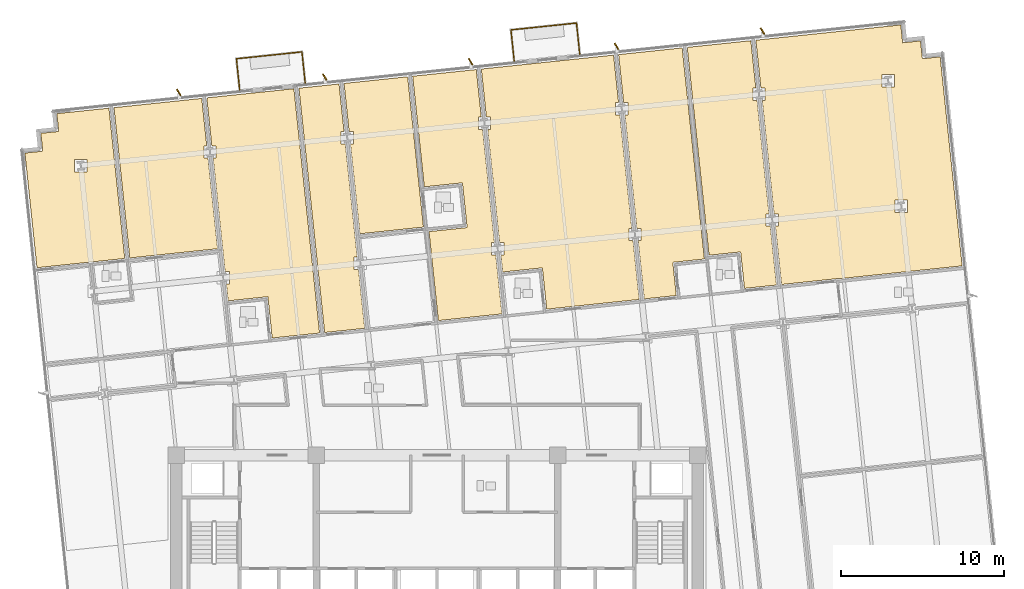
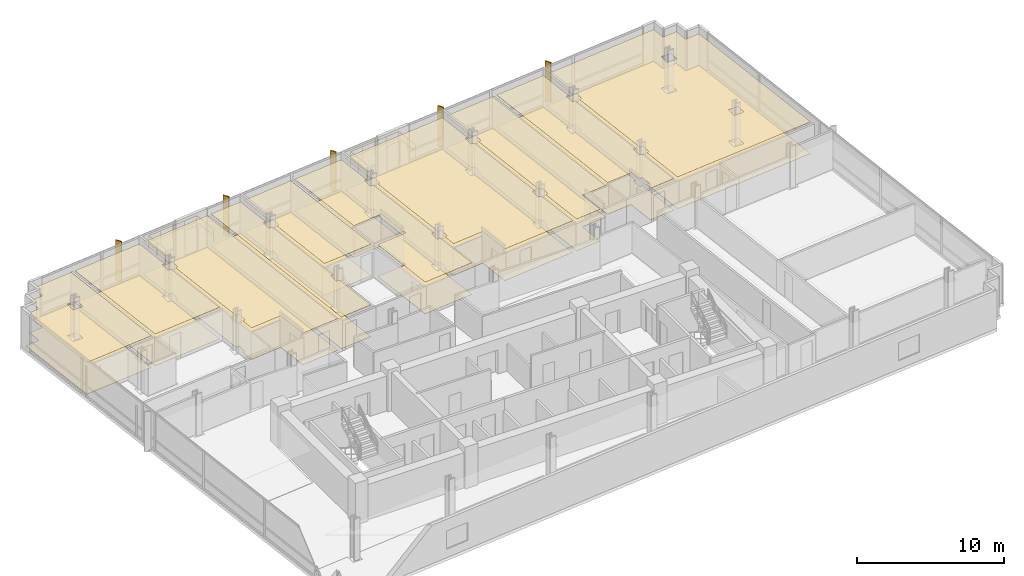
# One storey, part 18 of 19: 20 coverings, 6 railings, 5 shading devices.
"""IFC4 building model written with IfcOpenShell, lengths in metres."""

from ifc_helpers import new_model, si_unit, direction, frame, origin, origin_2d, place, context, subcontext, project, spatial, polyline, rectangle, circle, outline, extrude, material, layer, layer_set, type_object, element, save


model = new_model("IFC4")

# Units and contexts
model_context = context("Model", 3, precision=1e-05, world=origin(), true_north=direction((0.0, 1.0)))
body_context = subcontext(model_context, "Body", "Model", "MODEL_VIEW")
ifc_project = project(units=[si_unit("LENGTHUNIT", "METRE"), si_unit("AREAUNIT", "SQUARE_METRE"), si_unit("VOLUMEUNIT", "CUBIC_METRE"), si_unit("PLANEANGLEUNIT", "RADIAN"), si_unit("MASSUNIT", "GRAM", prefix="KILO")], contexts=[model_context])

# Site, building, storey
site_placement = place(None, origin())
site = spatial("IfcSite", under=ifc_project, at=site_placement, CompositionType="ELEMENT")
building_placement = place(site_placement, origin())
building = spatial("IfcBuilding", under=site, at=building_placement, Name="Solmavex Isthmus Hotel", CompositionType="ELEMENT")
storey_placement = place(building_placement, frame((0.0, 0.0, 83.550048828125)))
storey = spatial("IfcBuildingStorey", under=building, at=storey_placement, Name="L22", CompositionType="ELEMENT", Elevation=83.550048828125)

# Coverings
ifc_material_1 = material(Name="Gypsum plasterboard lining", Category="gypsum")
ifc_layer_1 = layer(ifc_material_1, 0.030029296875)
ifc_layer_set_1 = layer_set([ifc_layer_1], Name="Gypsum plasterboard lining")
covering_type_1 = type_object("IfcCoveringType", Name="COV-CEIL-GYP", PredefinedType="CEILING", material=ifc_layer_set_1)
covering_1_placement = place(storey_placement, frame((0.0, 0.0, 2.619873046875)))
element("IfcCovering", 1, at=covering_1_placement, inside=storey, type_object=covering_type_1, Name="Suspended Acoustic Ceiling L22-TB01", PredefinedType="CEILING", context=body_context, shape_type="SweptSolid", body=[
    extrude(outline(polyline([(-25.276123046875, 16.030029296875), (-25.18994140625, 15.20947265625), (-24.536865234375, 8.996826171875), (-19.152587890625, 9.562744140625), (-20.121826171875, 18.783935546875), (-22.49755859375, 18.5341796875), (-23.318115234375, 18.447998046875), (-23.203125, 17.35400390625), (-24.297119140625, 17.239013671875), (-24.18212890625, 16.14501953125), (-25.276123046875, 16.030029296875)]), holes=[polyline([(-22.231689453125, 14.878662109375), (-22.231689453125, 15.638671875), (-21.4716796875, 15.638671875), (-21.4716796875, 14.878662109375), (-22.231689453125, 14.878662109375)])]), origin(), (0.0, 0.0, 1.0), 0.030029296875),
])
covering_2_placement = place(storey_placement, frame((0.0, 0.0, 2.619873046875)))
element("IfcCovering", 2, at=covering_2_placement, inside=storey, type_object=covering_type_1, Name="Suspended Acoustic Ceiling L22-TL01", PredefinedType="CEILING", context=body_context, shape_type="SweptSolid", body=[
    extrude(outline(polyline([(-14.043212890625, 15.711669921875), (-14.307373046875, 15.711669921875), (-14.307373046875, 16.4716796875), (-14.123291015625, 16.4716796875), (-14.42919921875, 19.38232421875), (-19.8134765625, 18.81640625), (-18.84423828125, 9.59521484375), (-13.4599609375, 10.1611328125), (-14.043212890625, 15.711669921875)])), origin(), (0.0, 0.0, 1.0), 0.030029296875),
])
covering_3_placement = place(storey_placement, frame((0.0, 0.0, 2.619873046875)))
element("IfcCovering", 3, at=covering_3_placement, inside=storey, type_object=covering_type_1, Name="Suspended Acoustic Ceiling L22-RM02", PredefinedType="CEILING", context=body_context, shape_type="SweptSolid", body=[
    extrude(outline(polyline([(-13.8115234375, 16.4716796875), (-13.54736328125, 16.4716796875), (-13.54736328125, 15.711669921875), (-13.731689453125, 15.711669921875), (-13.233154296875, 10.97021484375), (-13.001220703125, 8.76220703125), (-12.737060546875, 8.76220703125), (-12.737060546875, 8.002197265625), (-12.92138671875, 8.002197265625), (-12.81201171875, 6.963134765625), (-10.37548828125, 7.21923828125), (-10.10888671875, 4.683349609375), (-7.201904296875, 4.98876953125), (-8.777099609375, 19.976318359375), (-14.120849609375, 19.41455078125), (-13.8115234375, 16.4716796875)])), origin(), (0.0, 0.0, 1.0), 0.030029296875),
])
covering_4_placement = place(storey_placement, frame((0.0, 0.0, 2.619873046875)))
element("IfcCovering", 4, at=covering_4_placement, inside=storey, type_object=covering_type_1, Name="Suspended Acoustic Ceiling L22-RM03", PredefinedType="CEILING", context=body_context, shape_type="SweptSolid", body=[
    extrude(outline(polyline([(-5.623779296875, 16.5966796875), (-5.8876953125, 16.5966796875), (-5.8876953125, 17.356689453125), (-5.70361328125, 17.356689453125), (-6.009521484375, 20.26708984375), (-8.468994140625, 20.0087890625), (-6.8935546875, 5.021240234375), (-4.434326171875, 5.27978515625), (-4.8134765625, 8.886962890625), (-5.077392578125, 8.886962890625), (-5.077392578125, 9.64697265625), (-4.893310546875, 9.64697265625), (-5.623779296875, 16.5966796875)])), origin(), (0.0, 0.0, 1.0), 0.030029296875),
])
covering_5_placement = place(storey_placement, frame((0.0, 0.0, 2.619873046875)))
element("IfcCovering", 5, at=covering_5_placement, inside=storey, type_object=covering_type_1, Name="Suspended Acoustic Ceiling L22-SL04-BD", PredefinedType="CEILING", context=body_context, shape_type="SweptSolid", body=[
    extrude(outline(polyline([(-5.391845703125, 17.356689453125), (-5.127685546875, 17.356689453125), (-5.127685546875, 16.5966796875), (-5.31201171875, 16.5966796875), (-4.73193359375, 11.078369140625), (-0.83056640625, 11.488525390625), (-1.799560546875, 20.709716796875), (-5.701171875, 20.299560546875), (-5.391845703125, 17.356689453125)])), origin(), (0.0, 0.0, 1.0), 0.030029296875),
])
covering_6_placement = place(storey_placement, frame((0.0, 0.0, 2.619873046875)))
element("IfcCovering", 6, at=covering_6_placement, inside=storey, type_object=covering_type_1, Name="Suspended Acoustic Ceiling L22-SV04", PredefinedType="CEILING", context=body_context, shape_type="SweptSolid", body=[
    extrude(outline(polyline([(-0.48974609375, 11.212646484375), (0.083984375, 5.754638671875), (3.9853515625, 6.16455078125), (3.606201171875, 9.77197265625), (3.34228515625, 9.77197265625), (3.34228515625, 10.531982421875), (3.5263671875, 10.531982421875), (2.7958984375, 17.4814453125), (2.53173828125, 17.4814453125), (2.53173828125, 18.241455078125), (2.716064453125, 18.241455078125), (2.41015625, 21.152099609375), (-1.491455078125, 20.741943359375), (-0.7783203125, 13.95751953125), (1.558837890625, 14.203125), (1.847412109375, 11.458251953125), (-0.48974609375, 11.212646484375)])), origin(), (0.0, 0.0, 1.0), 0.030029296875),
])
covering_7_placement = place(storey_placement, frame((0.0, 0.0, 2.619873046875)))
element("IfcCovering", 7, at=covering_7_placement, inside=storey, type_object=covering_type_1, Name="Suspended Acoustic Ceiling L22-RM05", PredefinedType="CEILING", context=body_context, shape_type="SweptSolid", body=[
    extrude(outline(polyline([(3.838134765625, 10.531982421875), (4.10205078125, 10.531982421875), (4.10205078125, 9.77197265625), (3.91796875, 9.77197265625), (4.027099609375, 8.733154296875), (6.463623046875, 8.9892578125), (6.730224609375, 6.453125), (12.405029296875, 7.049560546875), (12.02587890625, 10.656982421875), (11.76171875, 10.656982421875), (11.76171875, 11.4169921875), (11.946044921875, 11.4169921875), (11.215576171875, 18.366455078125), (10.951416015625, 18.366455078125), (10.951416015625, 19.12646484375), (11.1357421875, 19.12646484375), (10.829833984375, 22.037109375), (2.718505859375, 21.1845703125), (2.740966796875, 20.970703125), (3.02783203125, 18.241455078125), (3.291748046875, 18.241455078125), (3.291748046875, 17.4814453125), (3.107666015625, 17.4814453125), (3.838134765625, 10.531982421875)])), origin(), (0.0, 0.0, 1.0), 0.030029296875),
])
covering_8_placement = place(storey_placement, frame((0.0, 0.0, 2.619873046875)))
element("IfcCovering", 8, at=covering_8_placement, inside=storey, type_object=covering_type_1, Name="Suspended Acoustic Ceiling L22-RM06", PredefinedType="CEILING", context=body_context, shape_type="SweptSolid", body=[
    extrude(outline(polyline([(12.2578125, 11.4169921875), (12.521728515625, 11.4169921875), (12.521728515625, 10.656982421875), (12.337646484375, 10.656982421875), (12.71337890625, 7.08203125), (14.67822265625, 7.28857421875), (14.464111328125, 9.327392578125), (16.400634765625, 9.53076171875), (15.03955078125, 22.4794921875), (11.13818359375, 22.0693359375), (11.447509765625, 19.12646484375), (11.71142578125, 19.12646484375), (11.71142578125, 18.366455078125), (11.52734375, 18.366455078125), (12.2578125, 11.4169921875)])), origin(), (0.0, 0.0, 1.0), 0.030029296875),
])
covering_9_placement = place(storey_placement, frame((0.0, 0.0, 2.619873046875)))
element("IfcCovering", 9, at=covering_9_placement, inside=storey, type_object=covering_type_1, Name="Suspended Acoustic Ceiling L22-RM07", PredefinedType="CEILING", context=body_context, shape_type="SweptSolid", body=[
    extrude(outline(polyline([(19.63525390625, 19.25146484375), (19.37109375, 19.25146484375), (19.37109375, 20.011474609375), (19.555419921875, 20.011474609375), (19.24951171875, 22.921875), (15.347900390625, 22.511962890625), (16.68798828125, 9.76220703125), (18.62451171875, 9.965576171875), (18.859619140625, 7.72802734375), (20.82470703125, 7.9345703125), (20.445556640625, 11.541748046875), (20.181396484375, 11.541748046875), (20.181396484375, 12.3017578125), (20.36572265625, 12.3017578125), (19.63525390625, 19.25146484375)])), origin(), (0.0, 0.0, 1.0), 0.030029296875),
])
covering_10_placement = place(storey_placement, frame((0.0, 0.0, 2.619873046875)))
element("IfcCovering", 10, at=covering_10_placement, inside=storey, type_object=covering_type_1, Name="Suspended Acoustic Ceiling L22-RM08", PredefinedType="CEILING", context=body_context, shape_type="SweptSolid", body=[
    extrude(outline(polyline([(20.67724609375, 12.3017578125), (20.94140625, 12.3017578125), (20.94140625, 11.541748046875), (20.75732421875, 11.541748046875), (21.133056640625, 7.967041015625), (24.713134765625, 8.34326171875), (24.71533203125, 8.3232421875), (32.2119140625, 9.111328125), (30.950927734375, 21.110107421875), (30.86474609375, 21.9306640625), (29.770751953125, 21.815673828125), (29.65576171875, 22.90966796875), (28.561767578125, 22.794677734375), (28.44677734375, 23.888671875), (27.626220703125, 23.802490234375), (19.5576171875, 22.954345703125), (19.866943359375, 20.011474609375), (20.131103515625, 20.011474609375), (20.131103515625, 19.25146484375), (19.947021484375, 19.25146484375), (20.67724609375, 12.3017578125)]), holes=[polyline([(28.105712890625, 12.374755859375), (28.105712890625, 13.134765625), (28.86572265625, 13.134765625), (28.86572265625, 12.374755859375), (28.105712890625, 12.374755859375)]), polyline([(27.29541015625, 20.84423828125), (28.055419921875, 20.84423828125), (28.055419921875, 20.084228515625), (27.29541015625, 20.084228515625), (27.29541015625, 20.84423828125)])]), origin(), (0.0, 0.0, 1.0), 0.030029296875),
])
ifc_material_2 = material(Name="Travertine natural stone", Category="masonry")
ifc_layer_2 = layer(ifc_material_2, 0.02490234375)
ifc_layer_set_2 = layer_set([ifc_layer_2], Name="Travertine natural stone")
covering_type_2 = type_object("IfcCoveringType", Name="COV-FLOR-STN", PredefinedType="FLOORING", material=ifc_layer_set_2)
covering_11_placement = place(storey_placement, origin())
element("IfcCovering", 11, at=covering_11_placement, inside=storey, type_object=covering_type_2, Name="Stone and Timber Floor Finish L22-TB01", PredefinedType="FLOORING", context=body_context, shape_type="SweptSolid", body=[
    extrude(outline(polyline([(-25.276123046875, 16.030029296875), (-25.18994140625, 15.20947265625), (-24.536865234375, 8.996826171875), (-19.152587890625, 9.562744140625), (-20.121826171875, 18.783935546875), (-22.49755859375, 18.5341796875), (-23.318115234375, 18.447998046875), (-23.203125, 17.35400390625), (-24.297119140625, 17.239013671875), (-24.18212890625, 16.14501953125), (-25.276123046875, 16.030029296875)]), holes=[polyline([(-22.231689453125, 14.878662109375), (-22.231689453125, 15.638671875), (-21.4716796875, 15.638671875), (-21.4716796875, 14.878662109375), (-22.231689453125, 14.878662109375)])]), origin(), (0.0, 0.0, 1.0), 0.02490234375),
])
covering_12_placement = place(storey_placement, origin())
element("IfcCovering", 12, at=covering_12_placement, inside=storey, type_object=covering_type_2, Name="Stone and Timber Floor Finish L22-TL01", PredefinedType="FLOORING", context=body_context, shape_type="SweptSolid", body=[
    extrude(outline(polyline([(-14.043212890625, 15.711669921875), (-14.307373046875, 15.711669921875), (-14.307373046875, 16.4716796875), (-14.123291015625, 16.4716796875), (-14.42919921875, 19.38232421875), (-19.8134765625, 18.81640625), (-18.84423828125, 9.59521484375), (-13.4599609375, 10.1611328125), (-14.043212890625, 15.711669921875)])), origin(), (0.0, 0.0, 1.0), 0.02490234375),
])
covering_13_placement = place(storey_placement, origin())
element("IfcCovering", 13, at=covering_13_placement, inside=storey, type_object=covering_type_2, Name="Stone and Timber Floor Finish L22-RM02", PredefinedType="FLOORING", context=body_context, shape_type="SweptSolid", body=[
    extrude(outline(polyline([(-13.8115234375, 16.4716796875), (-13.54736328125, 16.4716796875), (-13.54736328125, 15.711669921875), (-13.731689453125, 15.711669921875), (-13.233154296875, 10.97021484375), (-13.001220703125, 8.76220703125), (-12.737060546875, 8.76220703125), (-12.737060546875, 8.002197265625), (-12.92138671875, 8.002197265625), (-12.81201171875, 6.963134765625), (-10.37548828125, 7.21923828125), (-10.10888671875, 4.683349609375), (-7.201904296875, 4.98876953125), (-8.777099609375, 19.976318359375), (-14.120849609375, 19.41455078125), (-13.8115234375, 16.4716796875)])), origin(), (0.0, 0.0, 1.0), 0.02490234375),
])
covering_14_placement = place(storey_placement, origin())
element("IfcCovering", 14, at=covering_14_placement, inside=storey, type_object=covering_type_2, Name="Stone and Timber Floor Finish L22-RM03", PredefinedType="FLOORING", context=body_context, shape_type="SweptSolid", body=[
    extrude(outline(polyline([(-5.623779296875, 16.5966796875), (-5.8876953125, 16.5966796875), (-5.8876953125, 17.356689453125), (-5.70361328125, 17.356689453125), (-6.009521484375, 20.26708984375), (-8.468994140625, 20.0087890625), (-6.8935546875, 5.021240234375), (-4.434326171875, 5.27978515625), (-4.8134765625, 8.886962890625), (-5.077392578125, 8.886962890625), (-5.077392578125, 9.64697265625), (-4.893310546875, 9.64697265625), (-5.623779296875, 16.5966796875)])), origin(), (0.0, 0.0, 1.0), 0.02490234375),
])
covering_15_placement = place(storey_placement, origin())
element("IfcCovering", 15, at=covering_15_placement, inside=storey, type_object=covering_type_2, Name="Stone and Timber Floor Finish L22-SL04-BD", PredefinedType="FLOORING", context=body_context, shape_type="SweptSolid", body=[
    extrude(outline(polyline([(-5.391845703125, 17.356689453125), (-5.127685546875, 17.356689453125), (-5.127685546875, 16.5966796875), (-5.31201171875, 16.5966796875), (-4.73193359375, 11.078369140625), (-0.83056640625, 11.488525390625), (-1.799560546875, 20.709716796875), (-5.701171875, 20.299560546875), (-5.391845703125, 17.356689453125)])), origin(), (0.0, 0.0, 1.0), 0.02490234375),
])
covering_16_placement = place(storey_placement, origin())
element("IfcCovering", 16, at=covering_16_placement, inside=storey, type_object=covering_type_2, Name="Stone and Timber Floor Finish L22-SV04", PredefinedType="FLOORING", context=body_context, shape_type="SweptSolid", body=[
    extrude(outline(polyline([(-0.48974609375, 11.212646484375), (0.083984375, 5.754638671875), (3.9853515625, 6.16455078125), (3.606201171875, 9.77197265625), (3.34228515625, 9.77197265625), (3.34228515625, 10.531982421875), (3.5263671875, 10.531982421875), (2.7958984375, 17.4814453125), (2.53173828125, 17.4814453125), (2.53173828125, 18.241455078125), (2.716064453125, 18.241455078125), (2.41015625, 21.152099609375), (-1.491455078125, 20.741943359375), (-0.7783203125, 13.95751953125), (1.558837890625, 14.203125), (1.847412109375, 11.458251953125), (-0.48974609375, 11.212646484375)])), origin(), (0.0, 0.0, 1.0), 0.02490234375),
])
covering_17_placement = place(storey_placement, origin())
element("IfcCovering", 17, at=covering_17_placement, inside=storey, type_object=covering_type_2, Name="Stone and Timber Floor Finish L22-RM05", PredefinedType="FLOORING", context=body_context, shape_type="SweptSolid", body=[
    extrude(outline(polyline([(3.838134765625, 10.531982421875), (4.10205078125, 10.531982421875), (4.10205078125, 9.77197265625), (3.91796875, 9.77197265625), (4.027099609375, 8.733154296875), (6.463623046875, 8.9892578125), (6.730224609375, 6.453125), (12.405029296875, 7.049560546875), (12.02587890625, 10.656982421875), (11.76171875, 10.656982421875), (11.76171875, 11.4169921875), (11.946044921875, 11.4169921875), (11.215576171875, 18.366455078125), (10.951416015625, 18.366455078125), (10.951416015625, 19.12646484375), (11.1357421875, 19.12646484375), (10.829833984375, 22.037109375), (2.718505859375, 21.1845703125), (2.740966796875, 20.970703125), (3.02783203125, 18.241455078125), (3.291748046875, 18.241455078125), (3.291748046875, 17.4814453125), (3.107666015625, 17.4814453125), (3.838134765625, 10.531982421875)])), origin(), (0.0, 0.0, 1.0), 0.02490234375),
])
covering_18_placement = place(storey_placement, origin())
element("IfcCovering", 18, at=covering_18_placement, inside=storey, type_object=covering_type_2, Name="Stone and Timber Floor Finish L22-RM06", PredefinedType="FLOORING", context=body_context, shape_type="SweptSolid", body=[
    extrude(outline(polyline([(12.2578125, 11.4169921875), (12.521728515625, 11.4169921875), (12.521728515625, 10.656982421875), (12.337646484375, 10.656982421875), (12.71337890625, 7.08203125), (14.67822265625, 7.28857421875), (14.464111328125, 9.327392578125), (16.400634765625, 9.53076171875), (15.03955078125, 22.4794921875), (11.13818359375, 22.0693359375), (11.447509765625, 19.12646484375), (11.71142578125, 19.12646484375), (11.71142578125, 18.366455078125), (11.52734375, 18.366455078125), (12.2578125, 11.4169921875)])), origin(), (0.0, 0.0, 1.0), 0.02490234375),
])
covering_19_placement = place(storey_placement, origin())
element("IfcCovering", 19, at=covering_19_placement, inside=storey, type_object=covering_type_2, Name="Stone and Timber Floor Finish L22-RM07", PredefinedType="FLOORING", context=body_context, shape_type="SweptSolid", body=[
    extrude(outline(polyline([(19.63525390625, 19.25146484375), (19.37109375, 19.25146484375), (19.37109375, 20.011474609375), (19.555419921875, 20.011474609375), (19.24951171875, 22.921875), (15.347900390625, 22.511962890625), (16.68798828125, 9.76220703125), (18.62451171875, 9.965576171875), (18.859619140625, 7.72802734375), (20.82470703125, 7.9345703125), (20.445556640625, 11.541748046875), (20.181396484375, 11.541748046875), (20.181396484375, 12.3017578125), (20.36572265625, 12.3017578125), (19.63525390625, 19.25146484375)])), origin(), (0.0, 0.0, 1.0), 0.02490234375),
])
covering_20_placement = place(storey_placement, origin())
element("IfcCovering", 20, at=covering_20_placement, inside=storey, type_object=covering_type_2, Name="Stone and Timber Floor Finish L22-RM08", PredefinedType="FLOORING", context=body_context, shape_type="SweptSolid", body=[
    extrude(outline(polyline([(20.67724609375, 12.3017578125), (20.94140625, 12.3017578125), (20.94140625, 11.541748046875), (20.75732421875, 11.541748046875), (21.133056640625, 7.967041015625), (24.713134765625, 8.34326171875), (24.71533203125, 8.3232421875), (32.2119140625, 9.111328125), (30.950927734375, 21.110107421875), (30.86474609375, 21.9306640625), (29.770751953125, 21.815673828125), (29.65576171875, 22.90966796875), (28.561767578125, 22.794677734375), (28.44677734375, 23.888671875), (27.626220703125, 23.802490234375), (19.5576171875, 22.954345703125), (19.866943359375, 20.011474609375), (20.131103515625, 20.011474609375), (20.131103515625, 19.25146484375), (19.947021484375, 19.25146484375), (20.67724609375, 12.3017578125)]), holes=[polyline([(28.105712890625, 12.374755859375), (28.105712890625, 13.134765625), (28.86572265625, 13.134765625), (28.86572265625, 12.374755859375), (28.105712890625, 12.374755859375)]), polyline([(27.29541015625, 20.84423828125), (28.055419921875, 20.84423828125), (28.055419921875, 20.084228515625), (27.29541015625, 20.084228515625), (27.29541015625, 20.84423828125)])]), origin(), (0.0, 0.0, 1.0), 0.02490234375),
])

# Railings
ifc_material_3 = material(Name="Clear low-E laminated glass", Category="glass")
ifc_layer_3 = layer(ifc_material_3, 0.070068359375)
ifc_layer_set_3 = layer_set([ifc_layer_3], Name="Clear low-E laminated glass")
railing_type = type_object("IfcRailingType", Name="RAIL-GUARD-1100", PredefinedType="BALUSTRADE", material=ifc_layer_set_3)
railing_1_placement = place(storey_placement, frame((-12.102783203125, 19.9033203125, 0.0)))
element("IfcRailing", 21, at=railing_1_placement, inside=storey, type_object=railing_type, Name="Guardrail Balustrade L22-BAL1-01", PredefinedType="BALUSTRADE", context=body_context, shape_type="SweptSolid", body=[
    extrude(circle(Radius=0.02392578125, at=origin_2d()), frame((0.0, 0.0, 1.09619140625), z_axis=(-0.104525919671, 0.994522162708, 0.0), x_axis=(-0.994522162708, -0.104525919671, 0.0)), (0.0, 0.0, 1.0), 1.919921875),
    extrude(circle(Radius=0.02392578125, at=origin_2d()), frame((0.0, 0.0, 0.56005859375), z_axis=(-0.104525919671, 0.994522162708, 0.0), x_axis=(-0.994522162708, -0.104525919671, 0.0)), (0.0, 0.0, 1.0), 1.919921875),
    extrude(circle(Radius=0.02099609375, at=origin_2d()), origin(), (0.0, 0.0, 1.0), 1.072021484375),
    extrude(circle(Radius=0.02099609375, at=origin_2d()), frame((-0.100341796875, 0.95458984375, 0.0)), (0.0, 0.0, 1.0), 1.072021484375),
    extrude(circle(Radius=0.02099609375, at=origin_2d()), frame((-0.20068359375, 1.909423828125, 0.0)), (0.0, 0.0, 1.0), 1.072021484375),
])
railing_2_placement = place(storey_placement, frame((-12.303466796875, 21.812744140625, 0.0)))
element("IfcRailing", 22, at=railing_2_placement, inside=storey, type_object=railing_type, Name="Guardrail Balustrade L22-BAL1-02", PredefinedType="BALUSTRADE", context=body_context, shape_type="SweptSolid", body=[
    extrude(circle(Radius=0.02392578125, at=origin_2d()), frame((0.0, 0.0, 1.09619140625), z_axis=(0.994520013058, 0.104546370699, 0.0), x_axis=(-0.104546370699, 0.994520013058, 0.0)), (0.0, 0.0, 1.0), 4.0400390625),
    extrude(circle(Radius=0.02392578125, at=origin_2d()), frame((0.0, 0.0, 0.56005859375), z_axis=(0.994520013058, 0.104546370699, 0.0), x_axis=(-0.104546370699, 0.994520013058, 0.0)), (0.0, 0.0, 1.0), 4.0400390625),
    extrude(circle(Radius=0.02099609375, at=origin_2d()), origin(), (0.0, 0.0, 1.0), 1.072021484375),
    extrude(circle(Radius=0.02099609375, at=origin_2d()), frame((1.00439453125, 0.10546875, 0.0)), (0.0, 0.0, 1.0), 1.072021484375),
    extrude(circle(Radius=0.02099609375, at=origin_2d()), frame((2.0087890625, 0.211181640625, 0.0)), (0.0, 0.0, 1.0), 1.072021484375),
    extrude(circle(Radius=0.02099609375, at=origin_2d()), frame((3.013427734375, 0.31689453125, 0.0)), (0.0, 0.0, 1.0), 1.072021484375),
    extrude(circle(Radius=0.02099609375, at=origin_2d()), frame((4.017822265625, 0.42236328125, 0.0)), (0.0, 0.0, 1.0), 1.072021484375),
])
railing_3_placement = place(storey_placement, frame((-8.28564453125, 22.235107421875, 0.0)))
element("IfcRailing", 23, at=railing_3_placement, inside=storey, type_object=railing_type, Name="Guardrail Balustrade L22-BAL1-03", PredefinedType="BALUSTRADE", context=body_context, shape_type="SweptSolid", body=[
    extrude(circle(Radius=0.02392578125, at=origin_2d()), frame((0.0, 0.0, 1.09619140625), z_axis=(0.104512702575, -0.994523551758, 0.0), x_axis=(0.994523551758, 0.104512702575, 0.0)), (0.0, 0.0, 1.0), 1.920166015625),
    extrude(circle(Radius=0.02392578125, at=origin_2d()), frame((0.0, 0.0, 0.56005859375), z_axis=(0.104512702575, -0.994523551758, 0.0), x_axis=(0.994523551758, 0.104512702575, 0.0)), (0.0, 0.0, 1.0), 1.920166015625),
    extrude(circle(Radius=0.02099609375, at=origin_2d()), origin(), (0.0, 0.0, 1.0), 1.072021484375),
    extrude(circle(Radius=0.02099609375, at=origin_2d()), frame((0.100341796875, -0.954833984375, 0.0)), (0.0, 0.0, 1.0), 1.072021484375),
    extrude(circle(Radius=0.02099609375, at=origin_2d()), frame((0.20068359375, -1.90966796875, 0.0)), (0.0, 0.0, 1.0), 1.072021484375),
])
railing_4_placement = place(storey_placement, frame((4.736328125, 21.673095703125, 0.0)))
element("IfcRailing", 24, at=railing_4_placement, inside=storey, type_object=railing_type, Name="Guardrail Balustrade L22-BAL2-01", PredefinedType="BALUSTRADE", context=body_context, shape_type="SweptSolid", body=[
    extrude(circle(Radius=0.02392578125, at=origin_2d()), frame((0.0, 0.0, 1.09619140625), z_axis=(-0.104525919671, 0.994522162708, 0.0), x_axis=(-0.994522162708, -0.104525919671, 0.0)), (0.0, 0.0, 1.0), 1.919921875),
    extrude(circle(Radius=0.02392578125, at=origin_2d()), frame((0.0, 0.0, 0.56005859375), z_axis=(-0.104525919671, 0.994522162708, 0.0), x_axis=(-0.994522162708, -0.104525919671, 0.0)), (0.0, 0.0, 1.0), 1.919921875),
    extrude(circle(Radius=0.02099609375, at=origin_2d()), origin(), (0.0, 0.0, 1.0), 1.072021484375),
    extrude(circle(Radius=0.02099609375, at=origin_2d()), frame((-0.100341796875, 0.95458984375, 0.0)), (0.0, 0.0, 1.0), 1.072021484375),
    extrude(circle(Radius=0.02099609375, at=origin_2d()), frame((-0.20068359375, 1.909423828125, 0.0)), (0.0, 0.0, 1.0), 1.072021484375),
])
railing_5_placement = place(storey_placement, frame((4.53564453125, 23.58251953125, 0.0)))
element("IfcRailing", 25, at=railing_5_placement, inside=storey, type_object=railing_type, Name="Guardrail Balustrade L22-BAL2-02", PredefinedType="BALUSTRADE", context=body_context, shape_type="SweptSolid", body=[
    extrude(circle(Radius=0.02392578125, at=origin_2d()), frame((0.0, 0.0, 1.09619140625), z_axis=(0.994520673511, 0.10454008781, 0.0), x_axis=(-0.10454008781, 0.994520673511, 0.0)), (0.0, 0.0, 1.0), 4.040283203125),
    extrude(circle(Radius=0.02392578125, at=origin_2d()), frame((0.0, 0.0, 0.56005859375), z_axis=(0.994520673511, 0.10454008781, 0.0), x_axis=(-0.10454008781, 0.994520673511, 0.0)), (0.0, 0.0, 1.0), 4.040283203125),
    extrude(circle(Radius=0.02099609375, at=origin_2d()), origin(), (0.0, 0.0, 1.0), 1.072021484375),
    extrude(circle(Radius=0.02099609375, at=origin_2d()), frame((1.00439453125, 0.10546875, 0.0)), (0.0, 0.0, 1.0), 1.072021484375),
    extrude(circle(Radius=0.02099609375, at=origin_2d()), frame((2.009033203125, 0.211181640625, 0.0)), (0.0, 0.0, 1.0), 1.072021484375),
    extrude(circle(Radius=0.02099609375, at=origin_2d()), frame((3.013671875, 0.31689453125, 0.0)), (0.0, 0.0, 1.0), 1.072021484375),
    extrude(circle(Radius=0.02099609375, at=origin_2d()), frame((4.01806640625, 0.42236328125, 0.0)), (0.0, 0.0, 1.0), 1.072021484375),
])
railing_6_placement = place(storey_placement, frame((8.5537109375, 24.0048828125, 0.0)))
element("IfcRailing", 26, at=railing_6_placement, inside=storey, type_object=railing_type, Name="Guardrail Balustrade L22-BAL2-03", PredefinedType="BALUSTRADE", context=body_context, shape_type="SweptSolid", body=[
    extrude(circle(Radius=0.02392578125, at=origin_2d()), frame((0.0, 0.0, 1.09619140625), z_axis=(0.104525919671, -0.994522162708, 0.0), x_axis=(0.994522162708, 0.104525919671, 0.0)), (0.0, 0.0, 1.0), 1.919921875),
    extrude(circle(Radius=0.02392578125, at=origin_2d()), frame((0.0, 0.0, 0.56005859375), z_axis=(0.104525919671, -0.994522162708, 0.0), x_axis=(0.994522162708, 0.104525919671, 0.0)), (0.0, 0.0, 1.0), 1.919921875),
    extrude(circle(Radius=0.02099609375, at=origin_2d()), origin(), (0.0, 0.0, 1.0), 1.072021484375),
    extrude(circle(Radius=0.02099609375, at=origin_2d()), frame((0.100341796875, -0.95458984375, 0.0)), (0.0, 0.0, 1.0), 1.072021484375),
    extrude(circle(Radius=0.02099609375, at=origin_2d()), frame((0.20068359375, -1.909423828125, 0.0)), (0.0, 0.0, 1.0), 1.072021484375),
])

# Shading devices
ifc_material_4 = material(Name="Aluminium alloy 6063-T6", Category="aluminium")
shading_device_type = type_object("IfcShadingDeviceType", Name="SHD-FIN-BRONZE", PredefinedType="USERDEFINED", material=ifc_material_4)
for number, where, z_axis, x_axis, name in (
    (27, (-15.83837890625, 19.751953125, -0.14013671875), (0.0, 0.0, 1.0), (-0.529919264233, 0.848048096156, 0.0), "Anodised Aluminium Solar Fin L22-N1"),
    (28, (-6.8876953125, 20.692626953125, -0.14013671875), (0.0, 0.0, 1.0), (-0.529919264233, 0.848048096156, 0.0), "Anodised Aluminium Solar Fin L22-N2"),
    (29, (2.06298828125, 21.633544921875, -0.14013671875), (0.0, 0.0, 1.0), (-0.529919264233, 0.848048096156, 0.0), "Anodised Aluminium Solar Fin L22-N3"),
    (30, (11.013671875, 22.57421875, -0.14013671875), (0.0, 0.0, 1.0), (-0.529919264233, 0.848048096156, 0.0), "Anodised Aluminium Solar Fin L22-N4"),
    (31, (19.96435546875, 23.514892578125, -0.14013671875), (0.0, 0.0, 1.0), (-0.529919264233, 0.848048096156, 0.0), "Anodised Aluminium Solar Fin L22-N5"),
):
    element("IfcShadingDevice", number, at=place(storey_placement, frame(where, z_axis=z_axis, x_axis=x_axis)), inside=storey, type_object=shading_device_type, Name=name, ObjectType="SOLAR_FIN", PredefinedType="USERDEFINED", context=body_context, shape_type="SweptSolid", body=[
        extrude(rectangle(XDim=0.449951171875, YDim=0.080078125, at=origin_2d()), origin(), (0.0, 0.0, 1.0), 3.330078125),
    ])

save(model, "model.ifc")
